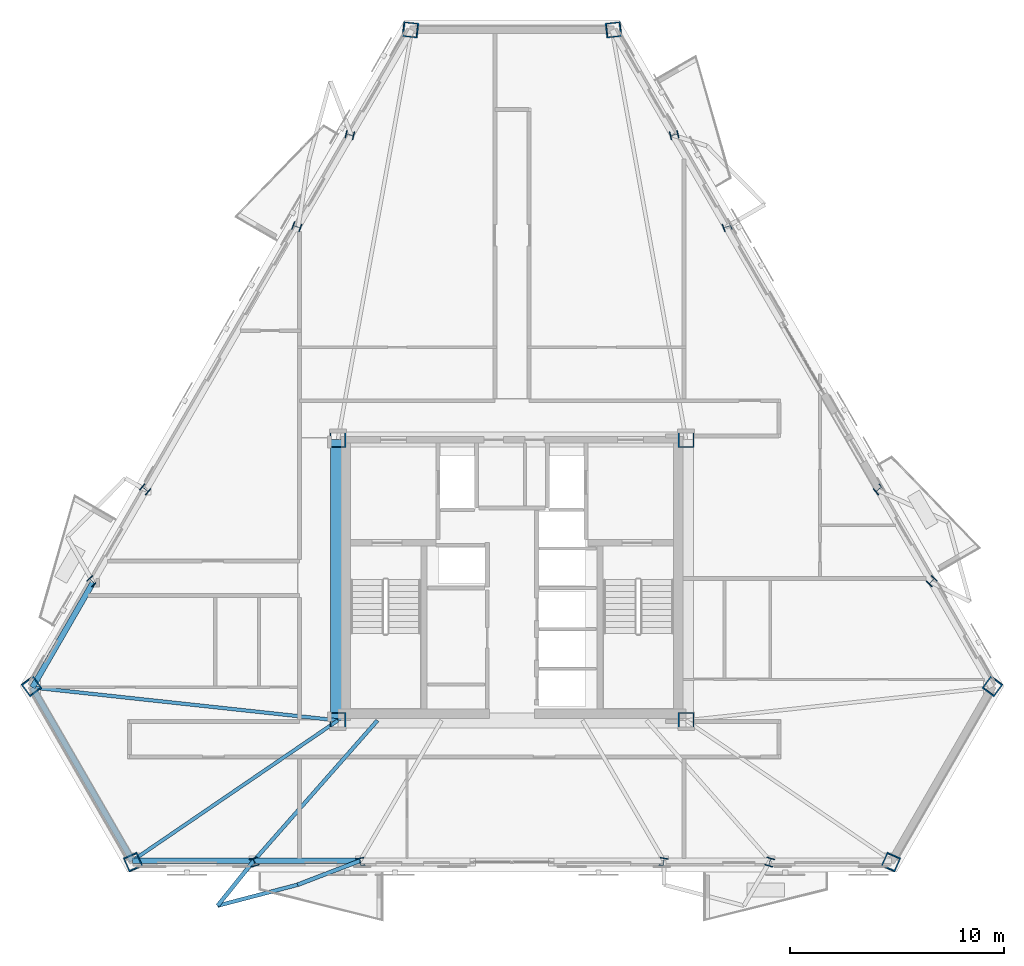
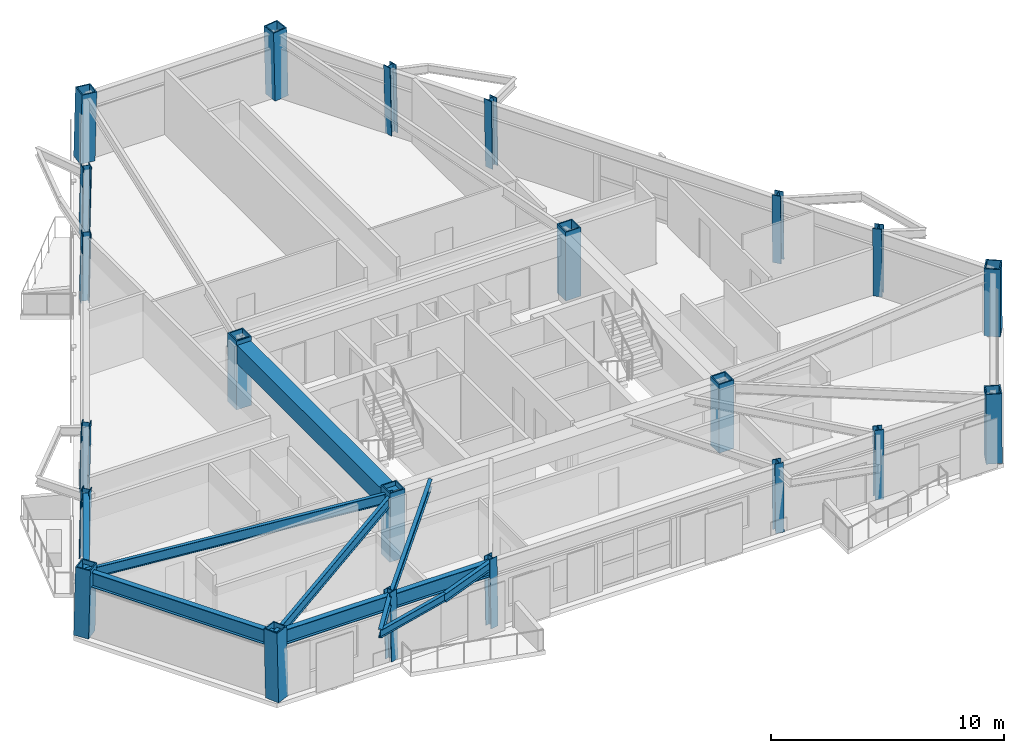
# One storey, part 1 of 14: 22 columns, 11 beams.
"""IFC4 building model written with IfcOpenShell, lengths in metres."""

from ifc_helpers import new_model, si_unit, direction, frame, origin, origin_2d, place, context, subcontext, project, spatial, rectangle, hollow_rectangle, i_section, extrude, material, material_profile, profile_set, type_object, element, save


model = new_model("IFC4")

# Units and contexts
model_context = context("Model", 3, precision=1e-05, world=origin(), true_north=direction((0.0, 1.0)))
body_context = subcontext(model_context, "Body", "Model", "MODEL_VIEW")
ifc_project = project(units=[si_unit("LENGTHUNIT", "METRE"), si_unit("AREAUNIT", "SQUARE_METRE"), si_unit("VOLUMEUNIT", "CUBIC_METRE"), si_unit("PLANEANGLEUNIT", "RADIAN"), si_unit("MASSUNIT", "GRAM", prefix="KILO")], contexts=[model_context])

# Site, building, storey
site_placement = place(None, origin())
site = spatial("IfcSite", under=ifc_project, at=site_placement, CompositionType="ELEMENT")
building_placement = place(site_placement, origin())
building = spatial("IfcBuilding", under=site, at=building_placement, Name="Oramaril Tower", CompositionType="ELEMENT")
storey_placement = place(building_placement, frame((0.0, 0.0, 149.39990234375)))
storey = spatial("IfcBuildingStorey", under=building, at=storey_placement, Name="L39", CompositionType="ELEMENT", Elevation=149.39990234375)

# Columns
ifc_material_1 = material(Name="Steel ASTM A572 Gr 50", Category="steel")
ifc_material_profile_1 = material_profile(ifc_material_1, hollow_rectangle(XDim=0.75, YDim=0.75, WallThickness=0.06005859375, at=origin_2d()), Name="BOX750X750X60")
ifc_profile_set_1 = profile_set([ifc_material_profile_1], Name="Steel ASTM A572 Gr 50")
column_type_1 = type_object("IfcColumnType", Name="CT-CC4", PredefinedType="COLUMN", material=ifc_profile_set_1)
for number, where, z_axis, x_axis, name in (
    (1, (29.35009765625, 11.0, 0.0), (0.0, 0.0, 1.0), (1.0, 0.0, 0.0), "L39 Core Column CC-1"),
    (2, (45.64990234375, 11.0, 0.0), (0.0, 0.0, 1.0), (1.0, 0.0, 0.0), "L39 Core Column CC-2"),
    (3, (45.64990234375, 24.14990234375, 0.0), (0.0, 0.0, 1.0), (1.0, 0.0, 0.0), "L39 Core Column CC-3"),
    (4, (29.35009765625, 24.14990234375, 0.0), (0.0, 0.0, 1.0), (1.0, 0.0, 0.0), "L39 Core Column CC-4"),
):
    element("IfcColumn", number, at=place(storey_placement, frame(where, z_axis=z_axis, x_axis=x_axis)), inside=storey, type_object=column_type_1, Name=name, PredefinedType="COLUMN", context=body_context, shape_type="SweptSolid", body=[
        extrude(hollow_rectangle(XDim=0.75, YDim=0.75, WallThickness=0.06005859375, at=origin_2d()), origin(), (0.0, 0.0, 1.0), 3.60009765625),
    ])
ifc_material_2 = material(Name="Steel ASTM A572 Gr 50", Category="steel")
ifc_material_profile_2 = material_profile(ifc_material_2, hollow_rectangle(XDim=0.699951171875, YDim=0.699951171875, WallThickness=0.054931640625, at=origin_2d()), Name="BOX700X700X55")
ifc_profile_set_2 = profile_set([ifc_material_profile_2], Name="Steel ASTM A572 Gr 50")
column_type_2 = type_object("IfcColumnType", Name="CT-TC4", PredefinedType="COLUMN", material=ifc_profile_set_2)
for number, where, z_axis, x_axis, name in (
    (5, (14.998046875, 12.61181640625, 0.004638671875), (0.013933204136, -0.018894784146, 0.999724388496), (0.804837480951, 0.59349526473, 0.0), "L39 Tube Column TC-01"),
    (6, (19.763916015625, 4.356689453125, 0.004638671875), (-0.009379420371, 0.021545480127, 0.999723871256), (-0.916886023226, -0.399149120521, 0.0), "L39 Tube Column TC-02"),
    (7, (55.236083984375, 4.356689453125, 0.004638671875), (0.009379420371, 0.021545480127, 0.999723871256), (-0.916886023226, 0.399149120521, 0.0), "L39 Tube Column TC-03"),
    (8, (60.001953125, 12.61181640625, 0.004638671875), (-0.013933204136, -0.018894784146, 0.999724388496), (0.804837480951, -0.59349526473, 0.0), "L39 Tube Column TC-04"),
    (9, (42.26611328125, 43.331298828125, 0.004638671875), (-0.023380570774, -0.002582737469, 0.999723300908), (0.109797244793, -0.993954005493, 0.0), "L39 Tube Column TC-05"),
    (10, (32.73388671875, 43.331298828125, 0.004638671875), (0.023380570774, -0.002582737469, 0.999723300908), (0.109797244793, 0.993954005493, 0.0), "L39 Tube Column TC-06"),
):
    element("IfcColumn", number, at=place(storey_placement, frame(where, z_axis=z_axis, x_axis=x_axis)), inside=storey, type_object=column_type_2, Name=name, PredefinedType="COLUMN", context=body_context, shape_type="SweptSolid", body=[
        extrude(hollow_rectangle(XDim=0.699951171875, YDim=0.699951171875, WallThickness=0.054931640625, at=origin_2d()), origin(), (0.0, 0.0, 1.0), 3.592041015625),
    ])
ifc_material_3 = material(Name="Steel ASTM A572 Gr 50", Category="steel")
ifc_material_profile_3 = material_profile(ifc_material_3, i_section(OverallWidth=0.39892578125, OverallDepth=0.385986328125, WebThickness=0.02099609375, FlangeThickness=0.033203125, at=origin_2d()), Name="W14X176")
ifc_profile_set_3 = profile_set([ifc_material_profile_3], Name="Steel ASTM A572 Gr 50")
column_type_3 = type_object("IfcColumnType", Name="CT-TF4", PredefinedType="COLUMN", material=ifc_profile_set_3)
for number, where, z_axis, x_axis, name in (
    (11, (25.439453125, 4.356689453125, 0.004638671875), (-0.006389031184, 0.021545988141, 0.999747443445), (-0.958737068503, -0.284294272679, 0.0), "L39 Tube Column TC-07"),
    (12, (30.405517578125, 4.356689453125, 0.004638671875), (-0.003738313105, 0.021546277349, 0.99976086288), (-0.985280112325, -0.170947653558, 0.0), "L39 Tube Column TC-08"),
    (13, (44.594482421875, 4.356689453125, 0.004638671875), (0.003738313105, 0.021546277349, 0.99976086288), (-0.985280112325, 0.170947653558, 0.0), "L39 Tube Column TC-09"),
    (14, (49.560546875, 4.356689453125, 0.004638671875), (0.006389031184, 0.021545988141, 0.999747443445), (-0.958737068503, 0.284294272679, 0.0), "L39 Tube Column TC-10"),
    (15, (57.164306640625, 17.52685546875, 0.004638671875), (-0.015428854681, -0.016244476955, 0.999749002206), (0.725075174229, -0.688669726151, 0.0), "L39 Tube Column TC-11"),
):
    element("IfcColumn", number, at=place(storey_placement, frame(where, z_axis=z_axis, x_axis=x_axis)), inside=storey, type_object=column_type_3, Name=name, PredefinedType="COLUMN", context=body_context, shape_type="SweptSolid", body=[
        extrude(i_section(OverallWidth=0.39892578125, OverallDepth=0.385986328125, WebThickness=0.02099609375, FlangeThickness=0.033203125, at=origin_2d()), origin(), (0.0, 0.0, 1.0), 3.592041015625),
    ])
column_1_placement = place(storey_placement, frame((54.68115234375, 21.82763671875, 0.004638671875), z_axis=(-0.016720476684, -0.014001699987, 0.999762160745), x_axis=(0.642021876199, -0.766686318179, 0.0)))
element("IfcColumn", 16, at=column_1_placement, inside=storey, type_object=column_type_3, Name="L39 Tube Column TC-12", PredefinedType="COLUMN", context=body_context, shape_type="SweptSolid", body=[
    extrude(i_section(OverallWidth=0.39892578125, OverallDepth=0.385986328125, WebThickness=0.02099609375, FlangeThickness=0.033203125, at=origin_2d()), origin(), (0.0, 0.0, 1.0), 3.591796875),
])
for number, where, z_axis, x_axis, name in (
    (17, (47.5869140625, 34.115478515625, 0.004638671875), (-0.020526747369, -0.007476629836, 0.999761347847), (0.342242639083, -0.93961160912, 0.0), "L39 Tube Column TC-13"),
    (18, (45.103759765625, 38.416259765625, 0.004638671875), (-0.02181788741, -0.005165605742, 0.999748616556), (0.230390845203, -0.973098175133, 0.0), "L39 Tube Column TC-14"),
    (19, (29.896240234375, 38.416259765625, 0.004638671875), (0.02181788741, -0.005165605742, 0.999748616556), (0.230390845203, 0.973098175133, 0.0), "L39 Tube Column TC-15"),
    (20, (27.4130859375, 34.115478515625, 0.004638671875), (0.020526747369, -0.007476629836, 0.999761347847), (0.342242639083, 0.93961160912, 0.0), "L39 Tube Column TC-16"),
):
    element("IfcColumn", number, at=place(storey_placement, frame(where, z_axis=z_axis, x_axis=x_axis)), inside=storey, type_object=column_type_3, Name=name, PredefinedType="COLUMN", context=body_context, shape_type="SweptSolid", body=[
        extrude(i_section(OverallWidth=0.39892578125, OverallDepth=0.385986328125, WebThickness=0.02099609375, FlangeThickness=0.033203125, at=origin_2d()), origin(), (0.0, 0.0, 1.0), 3.592041015625),
    ])
column_2_placement = place(storey_placement, frame((20.31884765625, 21.82763671875, 0.004638671875), z_axis=(0.016720476684, -0.014001699987, 0.999762160745), x_axis=(0.642021876199, 0.766686318179, 0.0)))
element("IfcColumn", 21, at=column_2_placement, inside=storey, type_object=column_type_3, Name="L39 Tube Column TC-17", PredefinedType="COLUMN", context=body_context, shape_type="SweptSolid", body=[
    extrude(i_section(OverallWidth=0.39892578125, OverallDepth=0.385986328125, WebThickness=0.02099609375, FlangeThickness=0.033203125, at=origin_2d()), origin(), (0.0, 0.0, 1.0), 3.591796875),
])
column_3_placement = place(storey_placement, frame((17.835693359375, 17.52685546875, 0.004638671875), z_axis=(0.015428854681, -0.016244476955, 0.999749002206), x_axis=(0.725075174229, 0.688669726151, 0.0)))
element("IfcColumn", 22, at=column_3_placement, inside=storey, type_object=column_type_3, Name="L39 Tube Column TC-18", PredefinedType="COLUMN", context=body_context, shape_type="SweptSolid", body=[
    extrude(i_section(OverallWidth=0.39892578125, OverallDepth=0.385986328125, WebThickness=0.02099609375, FlangeThickness=0.033203125, at=origin_2d()), origin(), (0.0, 0.0, 1.0), 3.592041015625),
])

# Beams
ifc_material_4 = material(Name="Steel ASTM A572 Gr 50", Category="steel")
ifc_material_profile_4 = material_profile(ifc_material_4, i_section(OverallWidth=0.19091796875, OverallDepth=0.45703125, WebThickness=0.009033203125, FlangeThickness=0.014404296875, at=origin_2d()), Name="W18X50")
ifc_profile_set_4 = profile_set([ifc_material_profile_4], Name="Steel ASTM A572 Gr 50")
beam_type_1 = type_object("IfcBeamType", Name="BT-BB1", PredefinedType="BEAM", material=ifc_profile_set_4)
beam_1_placement = place(storey_placement, frame((25.41650390625, 4.43408203125, 3.151611328125), z_axis=(-0.627539153648, -0.778585005403, 0.0), x_axis=(0.778585005403, -0.627539153648, 0.0)))
element("IfcBeam", 23, at=beam_1_placement, inside=storey, type_object=beam_type_1, Name="L39 Balcony Column-Framed Cantilever 01.1", PredefinedType="BEAM", context=body_context, shape_type="SweptSolid", body=[
    extrude(i_section(OverallWidth=0.19091796875, OverallDepth=0.45703125, WebThickness=0.009033203125, FlangeThickness=0.014404296875, at=origin_2d()), origin(), (0.0, 0.0, 1.0), 2.707275390625),
])
beam_2_placement = place(storey_placement, frame((30.39208984375, 4.43408203125, 3.151611328125), z_axis=(-0.933255400646, -0.359213525867, 0.0), x_axis=(0.359213525867, -0.933255400646, 0.0)))
element("IfcBeam", 24, at=beam_2_placement, inside=storey, type_object=beam_type_1, Name="L39 Balcony Column-Framed Cantilever 01.2", PredefinedType="BEAM", context=body_context, shape_type="SweptSolid", body=[
    extrude(i_section(OverallWidth=0.19091796875, OverallDepth=0.45703125, WebThickness=0.009033203125, FlangeThickness=0.014404296875, at=origin_2d()), origin(), (0.0, 0.0, 1.0), 3.139892578125),
])
ifc_material_5 = material(Name="Concrete C50/60", Category="concrete")
ifc_material_profile_5 = material_profile(ifc_material_5, rectangle(XDim=0.699951171875, YDim=0.949951171875, at=origin_2d()), Name="CB700X950")
ifc_profile_set_5 = profile_set([ifc_material_profile_5], Name="Concrete C50/60")
beam_type_2 = type_object("IfcBeamType", Name="BT-CB1", PredefinedType="BEAM", material=ifc_profile_set_5)
beam_3_placement = place(storey_placement, frame((29.35009765625, 24.14990234375, 2.905029296875), z_axis=(0.0, -1.0, 0.0), x_axis=(1.0, 0.0, 0.0)))
element("IfcBeam", 25, at=beam_3_placement, inside=storey, type_object=beam_type_2, Name="L39 Core Header Beam CB-4", PredefinedType="BEAM", context=body_context, shape_type="SweptSolid", body=[
    extrude(rectangle(XDim=0.699951171875, YDim=0.949951171875, at=origin_2d()), origin(), (0.0, 0.0, 1.0), 13.14990234375),
])
ifc_material_6 = material(Name="Steel ASTM A572 Gr 50", Category="steel")
ifc_material_profile_6 = material_profile(ifc_material_6, i_section(OverallWidth=0.166015625, OverallDepth=0.528076171875, WebThickness=0.009765625, FlangeThickness=0.013671875, at=origin_2d()), Name="W21X50")
ifc_profile_set_6 = profile_set([ifc_material_profile_6], Name="Steel ASTM A572 Gr 50")
beam_type_3 = type_object("IfcBeamType", Name="BT-FB3", PredefinedType="BEAM", material=ifc_profile_set_6)
beam_4_placement = place(storey_placement, frame((29.35009765625, 11.0, 3.1162109375), z_axis=(-0.994223505255, 0.107329500132, 0.0), x_axis=(-0.107329500132, -0.994223505255, 0.0)))
element("IfcBeam", 26, at=beam_4_placement, inside=storey, type_object=beam_type_3, Name="L39 Radial Primary Beam RB-01", PredefinedType="BEAM", context=body_context, shape_type="SweptSolid", body=[
    extrude(i_section(OverallWidth=0.166015625, OverallDepth=0.528076171875, WebThickness=0.009765625, FlangeThickness=0.013671875, at=origin_2d()), origin(), (0.0, 0.0, 1.0), 14.385009765625),
])
beam_5_placement = place(storey_placement, frame((29.35009765625, 11.0, 3.1162109375), z_axis=(-0.825950957971, -0.563741975577, 0.0), x_axis=(0.563741975577, -0.825950957971, 0.0)))
element("IfcBeam", 27, at=beam_5_placement, inside=storey, type_object=beam_type_3, Name="L39 Radial Primary Beam RB-02", PredefinedType="BEAM", context=body_context, shape_type="SweptSolid", body=[
    extrude(i_section(OverallWidth=0.166015625, OverallDepth=0.528076171875, WebThickness=0.009765625, FlangeThickness=0.013671875, at=origin_2d()), origin(), (0.0, 0.0, 1.0), 11.64697265625),
])
ifc_material_7 = material(Name="Steel ASTM A572 Gr 50", Category="steel")
ifc_material_profile_7 = material_profile(ifc_material_7, i_section(OverallWidth=0.177978515625, OverallDepth=0.404052734375, WebThickness=0.007568359375, FlangeThickness=0.010986328125, at=origin_2d()), Name="W16X36")
ifc_profile_set_7 = profile_set([ifc_material_profile_7], Name="Steel ASTM A572 Gr 50")
beam_type_4 = type_object("IfcBeamType", Name="BT-SB1", PredefinedType="BEAM", material=ifc_profile_set_7)
beam_6_placement = place(storey_placement, frame((31.199951171875, 11.0, 3.177978515625), z_axis=(-0.660978174504, -0.750405125802, 0.0), x_axis=(0.750405125802, -0.660978174504, 0.0)))
element("IfcBeam", 28, at=beam_6_placement, inside=storey, type_object=beam_type_4, Name="L39 Secondary Floor Beam SB-01", PredefinedType="BEAM", context=body_context, shape_type="SweptSolid", body=[
    extrude(i_section(OverallWidth=0.177978515625, OverallDepth=0.404052734375, WebThickness=0.007568359375, FlangeThickness=0.010986328125, at=origin_2d()), origin(), (0.0, 0.0, 1.0), 8.749755859375),
])
beam_7_placement = place(storey_placement, frame((23.717529296875, 2.326171875, 3.177978515625), z_axis=(0.967411967632, 0.253207592467, 0.0), x_axis=(-0.253207592467, 0.967411967632, 0.0)))
element("IfcBeam", 29, at=beam_7_placement, inside=storey, type_object=beam_type_4, Name="L39 Balcony Edge Tie Beam 01", PredefinedType="BEAM", context=body_context, shape_type="SweptSolid", body=[
    extrude(i_section(OverallWidth=0.177978515625, OverallDepth=0.404052734375, WebThickness=0.007568359375, FlangeThickness=0.010986328125, at=origin_2d()), origin(), (0.0, 0.0, 1.0), 3.870361328125),
])
ifc_material_8 = material(Name="Steel ASTM A572 Gr 50", Category="steel")
ifc_material_profile_8 = material_profile(ifc_material_8, i_section(OverallWidth=0.26708984375, OverallDepth=0.77001953125, WebThickness=0.015625, FlangeThickness=0.025390625, at=origin_2d()), Name="W30X132")
ifc_profile_set_8 = profile_set([ifc_material_profile_8], Name="Steel ASTM A572 Gr 50")
beam_type_5 = type_object("IfcBeamType", Name="BT-SP3", PredefinedType="SPANDREL", material=ifc_profile_set_8)
beam_8_placement = place(storey_placement, frame((15.048095703125, 12.5439453125, 2.9951171875), z_axis=(0.499991763293, -0.866030159197, 0.0), x_axis=(0.866030159197, 0.499991763293, 0.0)))
element("IfcBeam", 30, at=beam_8_placement, inside=storey, type_object=beam_type_5, Name="L39 Perimeter Spandrel 01", PredefinedType="SPANDREL", context=body_context, shape_type="SweptSolid", body=[
    extrude(i_section(OverallWidth=0.26708984375, OverallDepth=0.77001953125, WebThickness=0.015625, FlangeThickness=0.025390625, at=origin_2d()), origin(), (0.0, 0.0, 1.0), 9.364501953125),
])
beam_9_placement = place(storey_placement, frame((19.730224609375, 4.43408203125, 2.9951171875), z_axis=(1.0, 0.0, 0.0), x_axis=(0.0, 1.0, 0.0)))
element("IfcBeam", 31, at=beam_9_placement, inside=storey, type_object=beam_type_5, Name="L39 Perimeter Spandrel 02", PredefinedType="SPANDREL", context=body_context, shape_type="SweptSolid", body=[
    extrude(i_section(OverallWidth=0.26708984375, OverallDepth=0.77001953125, WebThickness=0.015625, FlangeThickness=0.025390625, at=origin_2d()), origin(), (0.0, 0.0, 1.0), 5.686279296875),
])
beam_10_placement = place(storey_placement, frame((25.41650390625, 4.43408203125, 2.9951171875), z_axis=(1.0, 0.0, 0.0), x_axis=(0.0, 1.0, 0.0)))
element("IfcBeam", 32, at=beam_10_placement, inside=storey, type_object=beam_type_5, Name="L39 Perimeter Spandrel 03", PredefinedType="SPANDREL", context=body_context, shape_type="SweptSolid", body=[
    extrude(i_section(OverallWidth=0.26708984375, OverallDepth=0.77001953125, WebThickness=0.015625, FlangeThickness=0.025390625, at=origin_2d()), origin(), (0.0, 0.0, 1.0), 4.9755859375),
])
beam_11_placement = place(storey_placement, frame((17.89111328125, 17.468505859375, 2.9951171875), z_axis=(-0.499976419567, -0.866039017526, 0.0), x_axis=(0.866039017526, -0.499976419567, 0.0)))
element("IfcBeam", 33, at=beam_11_placement, inside=storey, type_object=beam_type_5, Name="L39 Perimeter Spandrel 18", PredefinedType="SPANDREL", context=body_context, shape_type="SweptSolid", body=[
    extrude(i_section(OverallWidth=0.26708984375, OverallDepth=0.77001953125, WebThickness=0.015625, FlangeThickness=0.025390625, at=origin_2d()), origin(), (0.0, 0.0, 1.0), 5.686279296875),
])

save(model, "model.ifc")
